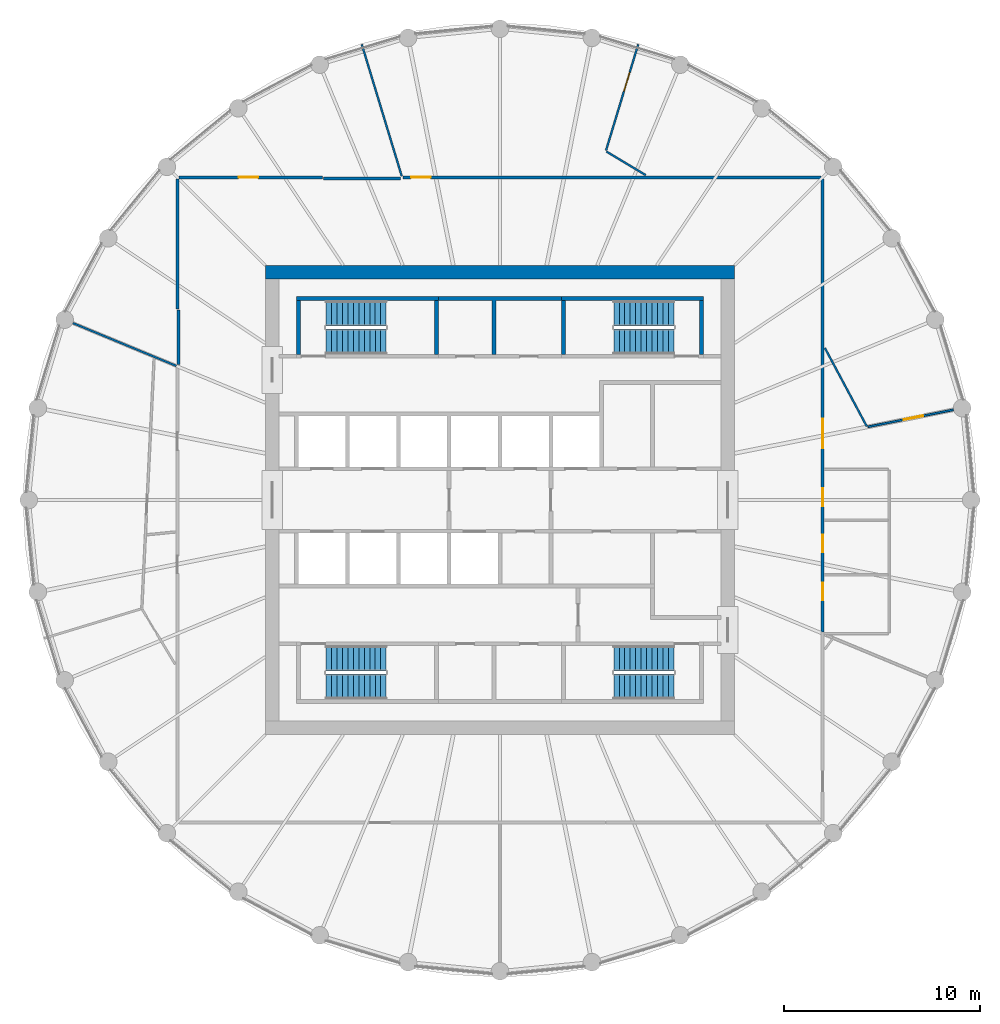
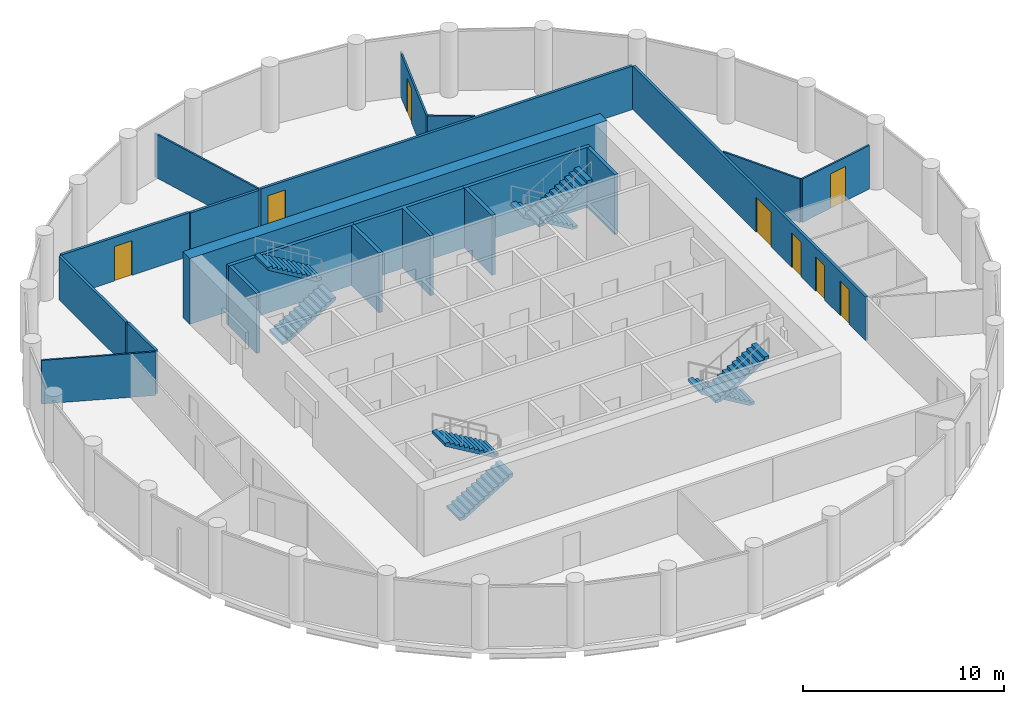
# One storey, part 6 of 7: 20 walls, 8 doors, 8 stair flights, 8 openings, 4 elements without a shape of their own.
"""IFC4 building model written with IfcOpenShell, lengths in metres."""

from ifc_helpers import new_model, si_unit, direction, frame, frame_2d, origin, place, context, subcontext, project, spatial, polyline, rectangle, outline, extrude, material, layer, layer_set, type_object, element, fill, aggregate, save


model = new_model("IFC4")

# Units and contexts
model_context = context("Model", 3, precision=1e-05, world=origin(), true_north=direction((0.0, 1.0)))
body_context = subcontext(model_context, "Body", "Model", "MODEL_VIEW")
ifc_project = project(units=[si_unit("LENGTHUNIT", "METRE"), si_unit("AREAUNIT", "SQUARE_METRE"), si_unit("VOLUMEUNIT", "CUBIC_METRE"), si_unit("PLANEANGLEUNIT", "RADIAN"), si_unit("MASSUNIT", "GRAM", prefix="KILO")], contexts=[model_context])

# Site, building, storey
site_placement = place(None, origin())
site = spatial("IfcSite", under=ifc_project, at=site_placement, CompositionType="ELEMENT")
building_placement = place(site_placement, origin())
building = spatial("IfcBuilding", under=site, at=building_placement, Name="Corvane Civic Tower", CompositionType="ELEMENT")
storey_placement = place(building_placement, frame((0.0, 0.0, 315.0)))
storey = spatial("IfcBuildingStorey", under=building, at=storey_placement, Name="L75", CompositionType="ELEMENT", Elevation=315.0)

# Walls
ifc_material_1 = material(Name="Concrete C40/50", Category="concrete")
ifc_layer_1 = layer(ifc_material_1, 0.699951171875)
ifc_layer_set_1 = layer_set([ifc_layer_1], Name="Concrete C40/50")
wall_type_1 = type_object("IfcWallType", Name="CORE WALL 700 C40/50", PredefinedType="SHEAR", material=ifc_layer_set_1)
wall_1_placement = place(storey_placement, frame((-12.0, 11.64990234375, 0.0), z_axis=(0.0, 0.0, 1.0), x_axis=(1.0, 0.0, 0.0)))
element("IfcWall", 1, at=wall_1_placement, inside=storey, type_object=wall_type_1, Name="W-L75-core-N", PredefinedType="SHEAR", context=body_context, shape_type="SweptSolid", body=[
    extrude(rectangle(XDim=24.0, YDim=0.699951171875, at=frame_2d((12.0, 0.0))), origin(), (0.0, 0.0, 1.0), 4.0),
])
ifc_material_2 = material(Name="Concrete C30/37", Category="concrete")
ifc_layer_2 = layer(ifc_material_2, 0.199951171875)
ifc_layer_set_2 = layer_set([ifc_layer_2], Name="Concrete C30/37")
wall_type_2 = type_object("IfcWallType", Name="CR-WALL-200", PredefinedType="PARTITIONING", material=ifc_layer_set_2)
wall_2_placement = place(storey_placement, origin())
element("IfcWall", 2, at=wall_2_placement, inside=storey, type_object=wall_type_2, Name="L75 core partition wall", PredefinedType="PARTITIONING", context=body_context, shape_type="SweptSolid", body=[
    extrude(outline(polyline([(3.14990234375, 10.39990234375), (3.14990234375, 10.199951171875), (-0.199951171875, 10.199951171875), (-0.199951171875, 7.449951171875), (-0.39990234375, 7.449951171875), (-0.39990234375, 10.199951171875), (-3.14990234375, 10.199951171875), (-3.14990234375, 10.39990234375), (3.14990234375, 10.39990234375)])), origin(), (0.0, 0.0, 1.0), 3.64990234375),
])

# Wall, opening, door
ifc_material_3 = material(Name="Plasterboard")
ifc_layer_3 = layer(ifc_material_3, 0.10009765625)
ifc_layer_set_3 = layer_set([ifc_layer_3], Name="Plasterboard")
wall_type_3 = type_object("IfcWallType", Name="Partition 100 plasterboard on studs", PredefinedType="PARTITIONING", material=ifc_layer_set_3)
wall_3_placement = place(storey_placement, frame((18.8125, 3.741943359375, 0.0), z_axis=(0.0, 0.0, 1.0), x_axis=(0.980786508615, 0.195084147278, 0.0)))
wall_3 = element("IfcWall", 3, at=wall_3_placement, inside=storey, type_object=wall_type_3, Name="Partition L75.019", PredefinedType="PARTITIONING", context=body_context, shape_type="SweptSolid", body=[
    extrude(rectangle(XDim=4.458984375, YDim=0.10009765625, at=frame_2d((2.2294921875, 0.0))), origin(), (0.0, 0.0, 1.0), 2.64990234375),
])
opening_1_placement = place(wall_3_placement, frame((1.8740234375, 0.0, 0.0)))
opening_1 = element("IfcOpeningElement", 4, at=opening_1_placement, cuts=wall_3, Name="Opening L75.011", PredefinedType="OPENING", context=body_context, shape_type="SweptSolid", body=[
    extrude(rectangle(XDim=1.0, YDim=2.10009765625, at=frame_2d((0.5, 1.050048828125))), frame((0.0, 0.06005859375, 0.0), z_axis=(0.0, -1.0, 0.0), x_axis=(1.0, 0.0, 0.0)), (0.0, 0.0, 1.0), 0.1201171875),
])
ifc_material_4 = material(Name="Timber", Category="wood")
door_type_1 = type_object("IfcDoorType", Name="Single door 1000", OperationType="NOTDEFINED", PredefinedType="DOOR", material=ifc_material_4)
door_1_placement = place(opening_1_placement, origin())
door_1 = element("IfcDoor", 5, at=door_1_placement, inside=storey, type_object=door_type_1, Name="Door L75.011", OperationType="SINGLE_SWING_RIGHT", OverallHeight=2.10009765625, OverallWidth=1.0, PredefinedType="DOOR", context=body_context, shape_type="SweptSolid", body=[
    extrude(rectangle(XDim=1.0, YDim=2.10009765625, at=frame_2d((0.5, 1.050048828125))), frame((0.0, 0.02490234375, 0.0), z_axis=(0.0, -1.0, 0.0), x_axis=(1.0, 0.0, 0.0)), (0.0, 0.0, 1.0), 0.050048828125),
])
fill(opening_1, door_1)

# Walls
wall_4_placement = place(storey_placement, frame((16.619140625, 7.7705078125, 0.0), z_axis=(0.0, 0.0, 1.0), x_axis=(0.471403238748, -0.881917788968, 0.0)))
element("IfcWall", 6, at=wall_4_placement, inside=storey, type_object=wall_type_3, Name="Partition L75.020", PredefinedType="PARTITIONING", context=body_context, shape_type="SweptSolid", body=[
    extrude(rectangle(XDim=4.538818359375, YDim=0.10009765625, at=frame_2d((2.26953125, 0.0))), origin(), (0.0, 0.0, 1.0), 2.64990234375),
])
wall_5_placement = place(storey_placement, frame((-21.84033203125, 9.046630859375, 0.0), z_axis=(0.0, 0.0, 1.0), x_axis=(0.923868475838, -0.382710124445, 0.0)))
element("IfcWall", 7, at=wall_5_placement, inside=storey, type_object=wall_type_3, Name="Partition L75.021", PredefinedType="PARTITIONING", context=body_context, shape_type="SweptSolid", body=[
    extrude(rectangle(XDim=5.716552734375, YDim=0.10009765625, at=frame_2d((2.8583984375, 0.0))), origin(), (0.0, 0.0, 1.0), 2.64990234375),
])
wall_6_placement = place(storey_placement, frame((-7.068603515625, 23.3017578125, 0.0), z_axis=(0.0, 0.0, 1.0), x_axis=(0.290279752693, -0.956941829568, 0.0)))
element("IfcWall", 8, at=wall_6_placement, inside=storey, type_object=wall_type_3, Name="Partition L75.027", PredefinedType="PARTITIONING", context=body_context, shape_type="SweptSolid", body=[
    extrude(rectangle(XDim=7.04052734375, YDim=0.10009765625, at=frame_2d((3.520263671875, 0.0))), origin(), (0.0, 0.0, 1.0), 2.64990234375),
])
wall_7_placement = place(storey_placement, frame((5.4453125, 17.820556640625, 0.0), z_axis=(0.0, 0.0, 1.0), x_axis=(0.857741449861, -0.514081321574, 0.0)))
element("IfcWall", 9, at=wall_7_placement, inside=storey, type_object=wall_type_3, Name="Partition L75.028", PredefinedType="PARTITIONING", context=body_context, shape_type="SweptSolid", body=[
    extrude(rectangle(XDim=2.33935546875, YDim=0.10009765625, at=frame_2d((1.169677734375, 0.0))), origin(), (0.0, 0.0, 1.0), 2.64990234375),
])

# Wall, opening, door
wall_8_placement = place(storey_placement, frame((5.423095703125, 17.8779296875, 0.0), z_axis=(0.0, 0.0, 1.0), x_axis=(0.290318207756, 0.956930163724, 0.0)))
wall_8 = element("IfcWall", 10, at=wall_8_placement, inside=storey, type_object=wall_type_3, Name="Partition L75.029", PredefinedType="PARTITIONING", context=body_context, shape_type="SweptSolid", body=[
    extrude(rectangle(XDim=5.66796875, YDim=0.10009765625, at=frame_2d((2.833984375, 0.0))), origin(), (0.0, 0.0, 1.0), 2.64990234375),
])
opening_2_placement = place(wall_8_placement, frame((3.16748046875, 0.0, 0.0)))
opening_2 = element("IfcOpeningElement", 11, at=opening_2_placement, cuts=wall_8, Name="Opening L75.010", PredefinedType="OPENING", context=body_context, shape_type="SweptSolid", body=[
    extrude(rectangle(XDim=1.0, YDim=2.10009765625, at=frame_2d((0.5, 1.050048828125))), frame((0.0, 0.06005859375, 0.0), z_axis=(0.0, -1.0, 0.0), x_axis=(1.0, 0.0, 0.0)), (0.0, 0.0, 1.0), 0.1201171875),
])
door_2_placement = place(opening_2_placement, frame((1.0, 0.0, 0.0), z_axis=(0.0, 0.0, 1.0), x_axis=(-1.0, 0.0, 0.0)))
door_2 = element("IfcDoor", 12, at=door_2_placement, inside=storey, type_object=door_type_1, Name="Door L75.010", OperationType="SINGLE_SWING_LEFT", OverallHeight=2.10009765625, OverallWidth=1.0, PredefinedType="DOOR", context=body_context, shape_type="SweptSolid", body=[
    extrude(rectangle(XDim=1.0, YDim=2.10009765625, at=frame_2d((0.5, 1.050048828125))), frame((0.0, 0.02490234375, 0.0), z_axis=(0.0, -1.0, 0.0), x_axis=(1.0, 0.0, 0.0)), (0.0, 0.0, 1.0), 0.050048828125),
])
fill(opening_2, door_2)

# Walls
ifc_material_5 = material(Name="Concrete C50/60", Category="concrete")
ifc_layer_4 = layer(ifc_material_5, 0.199951171875)
ifc_layer_set_4 = layer_set([ifc_layer_4], Name="Concrete C50/60")
wall_type_4 = type_object("IfcWallType", Name="ST-WALL-200", PredefinedType="SHEAR", material=ifc_layer_set_4)
wall_9_placement = place(storey_placement, origin())
element("IfcWall", 13, at=wall_9_placement, inside=storey, type_object=wall_type_4, Name="L75 stair enclosure wall", PredefinedType="SHEAR", context=body_context, shape_type="SweptSolid", body=[
    extrude(outline(polyline([(-3.14990234375, 10.199951171875), (-10.39990234375, 10.199951171875), (-10.39990234375, 10.39990234375), (-3.14990234375, 10.39990234375), (-3.14990234375, 10.199951171875)])), origin(), (0.0, 0.0, 1.0), 3.64990234375),
])
wall_10_placement = place(storey_placement, origin())
element("IfcWall", 14, at=wall_10_placement, inside=storey, type_object=wall_type_4, Name="L75 stair enclosure wall", PredefinedType="SHEAR", context=body_context, shape_type="SweptSolid", body=[
    extrude(outline(polyline([(10.39990234375, 10.199951171875), (3.14990234375, 10.199951171875), (3.14990234375, 10.39990234375), (10.39990234375, 10.39990234375), (10.39990234375, 10.199951171875)])), origin(), (0.0, 0.0, 1.0), 3.64990234375),
])
wall_11_placement = place(storey_placement, origin())
element("IfcWall", 15, at=wall_11_placement, inside=storey, type_object=wall_type_4, Name="L75 stair enclosure wall", PredefinedType="SHEAR", context=body_context, shape_type="SweptSolid", body=[
    extrude(outline(polyline([(-3.14990234375, 7.449951171875), (-3.35009765625, 7.449951171875), (-3.35009765625, 10.199951171875), (-3.14990234375, 10.199951171875), (-3.14990234375, 7.449951171875)])), origin(), (0.0, 0.0, 1.0), 3.64990234375),
])
wall_12_placement = place(storey_placement, origin())
element("IfcWall", 16, at=wall_12_placement, inside=storey, type_object=wall_type_4, Name="L75 stair enclosure wall", PredefinedType="SHEAR", context=body_context, shape_type="SweptSolid", body=[
    extrude(outline(polyline([(3.35009765625, 7.449951171875), (3.14990234375, 7.449951171875), (3.14990234375, 10.199951171875), (3.35009765625, 10.199951171875), (3.35009765625, 7.449951171875)])), origin(), (0.0, 0.0, 1.0), 3.64990234375),
])
wall_13_placement = place(storey_placement, origin())
element("IfcWall", 17, at=wall_13_placement, inside=storey, type_object=wall_type_4, Name="L75 stair enclosure wall", PredefinedType="SHEAR", context=body_context, shape_type="SweptSolid", body=[
    extrude(outline(polyline([(-10.199951171875, 7.449951171875), (-10.39990234375, 7.449951171875), (-10.39990234375, 10.199951171875), (-10.199951171875, 10.199951171875), (-10.199951171875, 7.449951171875)])), origin(), (0.0, 0.0, 1.0), 3.64990234375),
])
wall_14_placement = place(storey_placement, origin())
element("IfcWall", 18, at=wall_14_placement, inside=storey, type_object=wall_type_4, Name="L75 stair enclosure wall", PredefinedType="SHEAR", context=body_context, shape_type="SweptSolid", body=[
    extrude(outline(polyline([(10.39990234375, 7.449951171875), (10.199951171875, 7.449951171875), (10.199951171875, 10.199951171875), (10.39990234375, 10.199951171875), (10.39990234375, 7.449951171875)])), origin(), (0.0, 0.0, 1.0), 3.64990234375),
])

# Wall, openings, doors
ifc_material_6 = material(Name="Plasterboard")
ifc_layer_5 = layer(ifc_material_6, 0.14990234375)
ifc_layer_set_5 = layer_set([ifc_layer_5], Name="Plasterboard")
wall_type_5 = type_object("IfcWallType", Name="Tenancy wall 150 EI 60", PredefinedType="PARTITIONING", material=ifc_layer_set_5)
wall_15_placement = place(storey_placement, frame((16.5, -6.759521484375, 0.0), z_axis=(0.0, 0.0, 1.0), x_axis=(0.0, 1.0, 0.0)))
wall_15 = element("IfcWall", 19, at=wall_15_placement, inside=storey, type_object=wall_type_5, Name="Partition L75.013", PredefinedType="PARTITIONING", context=body_context, shape_type="SweptSolid", body=[
    extrude(rectangle(XDim=23.1845703125, YDim=0.14990234375, at=frame_2d((11.59228515625, 0.0))), origin(), (0.0, 0.0, 1.0), 2.64990234375),
])
opening_3_placement = place(wall_15_placement, frame((9.404541015625, 0.0, 0.0)))
opening_3 = element("IfcOpeningElement", 20, at=opening_3_placement, cuts=wall_15, Name="Opening L75.012", PredefinedType="OPENING", context=body_context, shape_type="SweptSolid", body=[
    extrude(rectangle(XDim=1.5, YDim=2.10009765625, at=frame_2d((0.75, 1.050048828125))), frame((0.0, 0.0849609375, 0.0), z_axis=(0.0, -1.0, 0.0), x_axis=(1.0, 0.0, 0.0)), (0.0, 0.0, 1.0), 0.169921875),
])
opening_4_placement = place(wall_15_placement, frame((1.630126953125, 0.0, 0.0)))
opening_4 = element("IfcOpeningElement", 21, at=opening_4_placement, cuts=wall_15, Name="Opening L75.013", PredefinedType="OPENING", context=body_context, shape_type="SweptSolid", body=[
    extrude(rectangle(XDim=0.89990234375, YDim=2.10009765625, at=frame_2d((0.449951171875, 1.050048828125))), frame((0.0, 0.0849609375, 0.0), z_axis=(0.0, -1.0, 0.0), x_axis=(1.0, 0.0, 0.0)), (0.0, 0.0, 1.0), 0.169921875),
])
opening_5_placement = place(wall_15_placement, frame((4.086181640625, 0.0, 0.0)))
opening_5 = element("IfcOpeningElement", 22, at=opening_5_placement, cuts=wall_15, Name="Opening L75.014", PredefinedType="OPENING", context=body_context, shape_type="SweptSolid", body=[
    extrude(rectangle(XDim=0.89990234375, YDim=2.10009765625, at=frame_2d((0.449951171875, 1.050048828125))), frame((0.0, 0.0849609375, 0.0), z_axis=(0.0, -1.0, 0.0), x_axis=(1.0, 0.0, 0.0)), (0.0, 0.0, 1.0), 0.169921875),
])
opening_6_placement = place(wall_15_placement, frame((6.45068359375, 0.0, 0.0)))
opening_6 = element("IfcOpeningElement", 23, at=opening_6_placement, cuts=wall_15, Name="Opening L75.015", PredefinedType="OPENING", context=body_context, shape_type="SweptSolid", body=[
    extrude(rectangle(XDim=0.89990234375, YDim=2.10009765625, at=frame_2d((0.449951171875, 1.050048828125))), frame((0.0, 0.0849609375, 0.0), z_axis=(0.0, -1.0, 0.0), x_axis=(1.0, 0.0, 0.0)), (0.0, 0.0, 1.0), 0.169921875),
])
ifc_material_7 = material(Name="Steel and timber", Category="steel")
door_type_2 = type_object("IfcDoorType", Name="Fire door FD30S 900", OperationType="NOTDEFINED", PredefinedType="DOOR", material=ifc_material_7)
door_3_placement = place(opening_4_placement, frame((0.89990234375, 0.0, 0.0), z_axis=(0.0, 0.0, 1.0), x_axis=(-1.0, 0.0, 0.0)))
door_3 = element("IfcDoor", 24, at=door_3_placement, inside=storey, type_object=door_type_2, Name="Door L75.013", OperationType="SINGLE_SWING_LEFT", OverallHeight=2.10009765625, OverallWidth=0.89990234375, PredefinedType="DOOR", context=body_context, shape_type="SweptSolid", body=[
    extrude(rectangle(XDim=0.89990234375, YDim=2.10009765625, at=frame_2d((0.449951171875, 1.050048828125))), frame((0.0, 0.02490234375, 0.0), z_axis=(0.0, -1.0, 0.0), x_axis=(1.0, 0.0, 0.0)), (0.0, 0.0, 1.0), 0.050048828125),
])
fill(opening_4, door_3)
door_4_placement = place(opening_5_placement, frame((0.89990234375, 0.0, 0.0), z_axis=(0.0, 0.0, 1.0), x_axis=(-1.0, 0.0, 0.0)))
door_4 = element("IfcDoor", 25, at=door_4_placement, inside=storey, type_object=door_type_2, Name="Door L75.014", OperationType="SINGLE_SWING_RIGHT", OverallHeight=2.10009765625, OverallWidth=0.89990234375, PredefinedType="DOOR", context=body_context, shape_type="SweptSolid", body=[
    extrude(rectangle(XDim=0.89990234375, YDim=2.10009765625, at=frame_2d((0.449951171875, 1.050048828125))), frame((0.0, 0.02490234375, 0.0), z_axis=(0.0, -1.0, 0.0), x_axis=(1.0, 0.0, 0.0)), (0.0, 0.0, 1.0), 0.050048828125),
])
fill(opening_5, door_4)
door_5_placement = place(opening_6_placement, frame((0.89990234375, 0.0, 0.0), z_axis=(0.0, 0.0, 1.0), x_axis=(-1.0, 0.0, 0.0)))
door_5 = element("IfcDoor", 26, at=door_5_placement, inside=storey, type_object=door_type_2, Name="Door L75.015", OperationType="SINGLE_SWING_LEFT", OverallHeight=2.10009765625, OverallWidth=0.89990234375, PredefinedType="DOOR", context=body_context, shape_type="SweptSolid", body=[
    extrude(rectangle(XDim=0.89990234375, YDim=2.10009765625, at=frame_2d((0.449951171875, 1.050048828125))), frame((0.0, 0.02490234375, 0.0), z_axis=(0.0, -1.0, 0.0), x_axis=(1.0, 0.0, 0.0)), (0.0, 0.0, 1.0), 0.050048828125),
])
fill(opening_6, door_5)
ifc_material_8 = material(Name="Steel and timber", Category="steel")
door_type_3 = type_object("IfcDoorType", Name="Fire door FD60 double 1500", OperationType="NOTDEFINED", PredefinedType="DOOR", material=ifc_material_8)
door_6_placement = place(opening_3_placement, frame((1.5, 0.0, 0.0), z_axis=(0.0, 0.0, 1.0), x_axis=(-1.0, 0.0, 0.0)))
door_6 = element("IfcDoor", 27, at=door_6_placement, inside=storey, type_object=door_type_3, Name="Door L75.012", OperationType="DOUBLE_DOOR_SINGLE_SWING", OverallHeight=2.10009765625, OverallWidth=1.5, PredefinedType="DOOR", context=body_context, shape_type="SweptSolid", body=[
    extrude(rectangle(XDim=1.5, YDim=2.10009765625, at=frame_2d((0.75, 1.050048828125))), frame((0.0, 0.02490234375, 0.0), z_axis=(0.0, -1.0, 0.0), x_axis=(1.0, 0.0, 0.0)), (0.0, 0.0, 1.0), 0.050048828125),
])
fill(opening_3, door_6)

# Walls
wall_16_placement = place(storey_placement, frame((-16.449951171875, 6.926025390625, 0.0), z_axis=(0.0, 0.0, 1.0), x_axis=(0.0, 1.0, 0.0)))
element("IfcWall", 28, at=wall_16_placement, inside=storey, type_object=wall_type_5, Name="Partition L75.022", PredefinedType="PARTITIONING", context=body_context, shape_type="SweptSolid", body=[
    extrude(rectangle(XDim=2.792236328125, YDim=0.14990234375, at=frame_2d((1.39599609375, 0.0))), origin(), (0.0, 0.0, 1.0), 2.64990234375),
])
wall_17_placement = place(storey_placement, frame((-16.5, 9.768310546875, 0.0), z_axis=(0.0, 0.0, 1.0), x_axis=(0.0, 1.0, 0.0)))
element("IfcWall", 29, at=wall_17_placement, inside=storey, type_object=wall_type_5, Name="Partition L75.023", PredefinedType="PARTITIONING", context=body_context, shape_type="SweptSolid", body=[
    extrude(rectangle(XDim=6.65673828125, YDim=0.14990234375, at=frame_2d((3.328369140625, 0.0))), origin(), (0.0, 0.0, 1.0), 2.64990234375),
])
wall_18_placement = place(storey_placement, frame((-9.017578125, 16.449951171875, 0.0), z_axis=(0.0, 0.0, 1.0), x_axis=(1.0, 0.0, 0.0)))
element("IfcWall", 30, at=wall_18_placement, inside=storey, type_object=wall_type_5, Name="Partition L75.024", PredefinedType="PARTITIONING", context=body_context, shape_type="SweptSolid", body=[
    extrude(rectangle(XDim=3.92626953125, YDim=0.14990234375, at=frame_2d((1.963134765625, 0.0))), origin(), (0.0, 0.0, 1.0), 2.64990234375),
])

# Wall, opening, door
wall_19_placement = place(storey_placement, frame((-16.425048828125, 16.5, 0.0), z_axis=(0.0, 0.0, 1.0), x_axis=(1.0, 0.0, 0.0)))
wall_19 = element("IfcWall", 31, at=wall_19_placement, inside=storey, type_object=wall_type_5, Name="Partition L75.025", PredefinedType="PARTITIONING", context=body_context, shape_type="SweptSolid", body=[
    extrude(rectangle(XDim=7.357666015625, YDim=0.14990234375, at=frame_2d((3.6787109375, 0.0))), origin(), (0.0, 0.0, 1.0), 2.64990234375),
])
opening_7_placement = place(wall_19_placement, frame((3.057861328125, 0.0, 0.0)))
opening_7 = element("IfcOpeningElement", 32, at=opening_7_placement, cuts=wall_19, Name="Opening L75.008", PredefinedType="OPENING", context=body_context, shape_type="SweptSolid", body=[
    extrude(rectangle(XDim=1.0, YDim=2.10009765625, at=frame_2d((0.5, 1.050048828125))), frame((0.0, 0.0849609375, 0.0), z_axis=(0.0, -1.0, 0.0), x_axis=(1.0, 0.0, 0.0)), (0.0, 0.0, 1.0), 0.169921875),
])
ifc_material_9 = material(Name="Steel and timber", Category="steel")
door_type_4 = type_object("IfcDoorType", Name="Fire door FD30S 1000", OperationType="NOTDEFINED", PredefinedType="DOOR", material=ifc_material_9)
door_7_placement = place(opening_7_placement, origin())
door_7 = element("IfcDoor", 33, at=door_7_placement, inside=storey, type_object=door_type_4, Name="Door L75.008", OperationType="SINGLE_SWING_RIGHT", OverallHeight=2.10009765625, OverallWidth=1.0, PredefinedType="DOOR", context=body_context, shape_type="SweptSolid", body=[
    extrude(rectangle(XDim=1.0, YDim=2.10009765625, at=frame_2d((0.5, 1.050048828125))), frame((0.0, 0.02490234375, 0.0), z_axis=(0.0, -1.0, 0.0), x_axis=(1.0, 0.0, 0.0)), (0.0, 0.0, 1.0), 0.050048828125),
])
fill(opening_7, door_7)

wall_20_placement = place(storey_placement, frame((-4.94970703125, 16.5, 0.0), z_axis=(0.0, 0.0, 1.0), x_axis=(1.0, 0.0, 0.0)))
wall_20 = element("IfcWall", 34, at=wall_20_placement, inside=storey, type_object=wall_type_5, Name="Partition L75.026", PredefinedType="PARTITIONING", context=body_context, shape_type="SweptSolid", body=[
    extrude(rectangle(XDim=21.374755859375, YDim=0.14990234375, at=frame_2d((10.6875, 0.0))), origin(), (0.0, 0.0, 1.0), 2.64990234375),
])
opening_8_placement = place(wall_20_placement, frame((0.39990234375, 0.0, 0.0)))
opening_8 = element("IfcOpeningElement", 35, at=opening_8_placement, cuts=wall_20, Name="Opening L75.009", PredefinedType="OPENING", context=body_context, shape_type="SweptSolid", body=[
    extrude(rectangle(XDim=1.0, YDim=2.10009765625, at=frame_2d((0.5, 1.050048828125))), frame((0.0, 0.0849609375, 0.0), z_axis=(0.0, -1.0, 0.0), x_axis=(1.0, 0.0, 0.0)), (0.0, 0.0, 1.0), 0.169921875),
])
door_8_placement = place(opening_8_placement, origin())
door_8 = element("IfcDoor", 36, at=door_8_placement, inside=storey, type_object=door_type_4, Name="Door L75.009", OperationType="SINGLE_SWING_LEFT", OverallHeight=2.10009765625, OverallWidth=1.0, PredefinedType="DOOR", context=body_context, shape_type="SweptSolid", body=[
    extrude(rectangle(XDim=1.0, YDim=2.10009765625, at=frame_2d((0.5, 1.050048828125))), frame((0.0, 0.02490234375, 0.0), z_axis=(0.0, -1.0, 0.0), x_axis=(1.0, 0.0, 0.0)), (0.0, 0.0, 1.0), 0.050048828125),
])
fill(opening_8, door_8)

# Stair, stair flights
ifc_material_10 = material(Name="Concrete C40/50", Category="concrete")
stair_type = type_object("IfcStairType", Name="ST-STAIR-HALFTURN", PredefinedType="HALF_TURN_STAIR", material=ifc_material_10)
stair_1_placement = place(storey_placement, origin())
stair_1 = element("IfcStair", 37, at=stair_1_placement, inside=storey, type_object=stair_type, Name="L75 Exit stair ST1", PredefinedType="HALF_TURN_STAIR")
ifc_material_11 = material(Name="Concrete C40/50", Category="concrete")
stair_flight_type = type_object("IfcStairFlightType", Name="ST-FLIGHT-RC", PredefinedType="STRAIGHT", material=ifc_material_11)
stair_flight_1_placement = place(storey_placement, frame((8.89990234375, 9.550048828125, 0.0), z_axis=(0.0, 0.0, 1.0), x_axis=(-1.0, 0.0, 0.0)))
stair_flight_1 = element("IfcStairFlight", 38, at=stair_flight_1_placement, type_object=stair_flight_type, Name="ST1 flight 1", NumberOfRisers=12, NumberOfTreads=11, PredefinedType="STRAIGHT", RiserHeight=0.166666667, TreadLength=0.28, context=body_context, shape_type="SweptSolid", body=[
    extrude(outline(polyline([(0.0, 0.0), (0.0, 0.166748046875), (0.280029296875, 0.166748046875), (0.280029296875, 0.333251953125), (0.56005859375, 0.333251953125), (0.56005859375, 0.5), (0.840087890625, 0.5), (0.840087890625, 0.666748046875), (1.1201171875, 0.666748046875), (1.1201171875, 0.833251953125), (1.39990234375, 0.833251953125), (1.39990234375, 1.0), (1.679931640625, 1.0), (1.679931640625, 1.166748046875), (1.9599609375, 1.166748046875), (1.9599609375, 1.333251953125), (2.239990234375, 1.333251953125), (2.239990234375, 1.5), (2.52001953125, 1.5), (2.52001953125, 1.666748046875), (2.800048828125, 1.666748046875), (2.800048828125, 1.833251953125), (3.080078125, 1.833251953125), (3.080078125, 2.0), (3.080078125, 1.658935546875), (0.29296875, 0.0), (0.0, 0.0)])), frame((0.0, 0.64990234375, 0.0), z_axis=(0.0, -1.0, 0.0), x_axis=(1.0, 0.0, 0.0)), (0.0, 0.0, 1.0), 1.300048828125),
])
stair_flight_2_placement = place(storey_placement, frame((5.820068359375, 8.10009765625, 2.0), z_axis=(0.0, 0.0, 1.0), x_axis=(1.0, 0.0, 0.0)))
stair_flight_2 = element("IfcStairFlight", 39, at=stair_flight_2_placement, type_object=stair_flight_type, Name="ST1 flight 2", NumberOfRisers=12, NumberOfTreads=11, PredefinedType="STRAIGHT", RiserHeight=0.166666667, TreadLength=0.28, context=body_context, shape_type="SweptSolid", body=[
    extrude(outline(polyline([(0.0, 0.0), (0.0, 0.166748046875), (0.280029296875, 0.166748046875), (0.280029296875, 0.333251953125), (0.56005859375, 0.333251953125), (0.56005859375, 0.5), (0.840087890625, 0.5), (0.840087890625, 0.666748046875), (1.1201171875, 0.666748046875), (1.1201171875, 0.833251953125), (1.39990234375, 0.833251953125), (1.39990234375, 1.0), (1.679931640625, 1.0), (1.679931640625, 1.166748046875), (1.9599609375, 1.166748046875), (1.9599609375, 1.333251953125), (2.239990234375, 1.333251953125), (2.239990234375, 1.5), (2.52001953125, 1.5), (2.52001953125, 1.666748046875), (2.800048828125, 1.666748046875), (2.800048828125, 1.833251953125), (3.080078125, 1.833251953125), (3.080078125, 2.0), (3.080078125, 1.658935546875), (0.29296875, 0.0), (0.0, 0.0)])), frame((0.0, 0.64990234375, 0.0), z_axis=(0.0, -1.0, 0.0), x_axis=(1.0, 0.0, 0.0)), (0.0, 0.0, 1.0), 1.300048828125),
])
aggregate(stair_1, [stair_flight_1, stair_flight_2])

stair_2_placement = place(storey_placement, origin())
stair_2 = element("IfcStair", 40, at=stair_2_placement, inside=storey, type_object=stair_type, Name="L75 Exit stair ST2", PredefinedType="HALF_TURN_STAIR")
stair_flight_3_placement = place(storey_placement, frame((8.89990234375, -8.10009765625, 0.0), z_axis=(0.0, 0.0, 1.0), x_axis=(-1.0, 0.0, 0.0)))
stair_flight_3 = element("IfcStairFlight", 41, at=stair_flight_3_placement, type_object=stair_flight_type, Name="ST2 flight 1", NumberOfRisers=12, NumberOfTreads=11, PredefinedType="STRAIGHT", RiserHeight=0.166666667, TreadLength=0.28, context=body_context, shape_type="SweptSolid", body=[
    extrude(outline(polyline([(0.0, 0.0), (0.0, 0.166748046875), (0.280029296875, 0.166748046875), (0.280029296875, 0.333251953125), (0.56005859375, 0.333251953125), (0.56005859375, 0.5), (0.840087890625, 0.5), (0.840087890625, 0.666748046875), (1.1201171875, 0.666748046875), (1.1201171875, 0.833251953125), (1.39990234375, 0.833251953125), (1.39990234375, 1.0), (1.679931640625, 1.0), (1.679931640625, 1.166748046875), (1.9599609375, 1.166748046875), (1.9599609375, 1.333251953125), (2.239990234375, 1.333251953125), (2.239990234375, 1.5), (2.52001953125, 1.5), (2.52001953125, 1.666748046875), (2.800048828125, 1.666748046875), (2.800048828125, 1.833251953125), (3.080078125, 1.833251953125), (3.080078125, 2.0), (3.080078125, 1.658935546875), (0.29296875, 0.0), (0.0, 0.0)])), frame((0.0, 0.64990234375, 0.0), z_axis=(0.0, -1.0, 0.0), x_axis=(1.0, 0.0, 0.0)), (0.0, 0.0, 1.0), 1.300048828125),
])
stair_flight_4_placement = place(storey_placement, frame((5.820068359375, -9.550048828125, 2.0), z_axis=(0.0, 0.0, 1.0), x_axis=(1.0, 0.0, 0.0)))
stair_flight_4 = element("IfcStairFlight", 42, at=stair_flight_4_placement, type_object=stair_flight_type, Name="ST2 flight 2", NumberOfRisers=12, NumberOfTreads=11, PredefinedType="STRAIGHT", RiserHeight=0.166666667, TreadLength=0.28, context=body_context, shape_type="SweptSolid", body=[
    extrude(outline(polyline([(0.0, 0.0), (0.0, 0.166748046875), (0.280029296875, 0.166748046875), (0.280029296875, 0.333251953125), (0.56005859375, 0.333251953125), (0.56005859375, 0.5), (0.840087890625, 0.5), (0.840087890625, 0.666748046875), (1.1201171875, 0.666748046875), (1.1201171875, 0.833251953125), (1.39990234375, 0.833251953125), (1.39990234375, 1.0), (1.679931640625, 1.0), (1.679931640625, 1.166748046875), (1.9599609375, 1.166748046875), (1.9599609375, 1.333251953125), (2.239990234375, 1.333251953125), (2.239990234375, 1.5), (2.52001953125, 1.5), (2.52001953125, 1.666748046875), (2.800048828125, 1.666748046875), (2.800048828125, 1.833251953125), (3.080078125, 1.833251953125), (3.080078125, 2.0), (3.080078125, 1.658935546875), (0.29296875, 0.0), (0.0, 0.0)])), frame((0.0, 0.64990234375, 0.0), z_axis=(0.0, -1.0, 0.0), x_axis=(1.0, 0.0, 0.0)), (0.0, 0.0, 1.0), 1.300048828125),
])
aggregate(stair_2, [stair_flight_3, stair_flight_4])

stair_3_placement = place(storey_placement, origin())
stair_3 = element("IfcStair", 43, at=stair_3_placement, inside=storey, type_object=stair_type, Name="L75 Exit stair ST3", PredefinedType="HALF_TURN_STAIR")
stair_flight_5_placement = place(storey_placement, frame((-8.89990234375, -9.550048828125, 0.0), z_axis=(0.0, 0.0, 1.0), x_axis=(1.0, 0.0, 0.0)))
stair_flight_5 = element("IfcStairFlight", 44, at=stair_flight_5_placement, type_object=stair_flight_type, Name="ST3 flight 1", NumberOfRisers=12, NumberOfTreads=11, PredefinedType="STRAIGHT", RiserHeight=0.166666667, TreadLength=0.28, context=body_context, shape_type="SweptSolid", body=[
    extrude(outline(polyline([(0.0, 0.0), (0.0, 0.166748046875), (0.280029296875, 0.166748046875), (0.280029296875, 0.333251953125), (0.56005859375, 0.333251953125), (0.56005859375, 0.5), (0.840087890625, 0.5), (0.840087890625, 0.666748046875), (1.1201171875, 0.666748046875), (1.1201171875, 0.833251953125), (1.39990234375, 0.833251953125), (1.39990234375, 1.0), (1.679931640625, 1.0), (1.679931640625, 1.166748046875), (1.9599609375, 1.166748046875), (1.9599609375, 1.333251953125), (2.239990234375, 1.333251953125), (2.239990234375, 1.5), (2.52001953125, 1.5), (2.52001953125, 1.666748046875), (2.800048828125, 1.666748046875), (2.800048828125, 1.833251953125), (3.080078125, 1.833251953125), (3.080078125, 2.0), (3.080078125, 1.658935546875), (0.29296875, 0.0), (0.0, 0.0)])), frame((0.0, 0.64990234375, 0.0), z_axis=(0.0, -1.0, 0.0), x_axis=(1.0, 0.0, 0.0)), (0.0, 0.0, 1.0), 1.300048828125),
])
stair_flight_6_placement = place(storey_placement, frame((-5.820068359375, -8.10009765625, 2.0), z_axis=(0.0, 0.0, 1.0), x_axis=(-1.0, 0.0, 0.0)))
stair_flight_6 = element("IfcStairFlight", 45, at=stair_flight_6_placement, type_object=stair_flight_type, Name="ST3 flight 2", NumberOfRisers=12, NumberOfTreads=11, PredefinedType="STRAIGHT", RiserHeight=0.166666667, TreadLength=0.28, context=body_context, shape_type="SweptSolid", body=[
    extrude(outline(polyline([(0.0, 0.0), (0.0, 0.166748046875), (0.280029296875, 0.166748046875), (0.280029296875, 0.333251953125), (0.56005859375, 0.333251953125), (0.56005859375, 0.5), (0.840087890625, 0.5), (0.840087890625, 0.666748046875), (1.1201171875, 0.666748046875), (1.1201171875, 0.833251953125), (1.39990234375, 0.833251953125), (1.39990234375, 1.0), (1.679931640625, 1.0), (1.679931640625, 1.166748046875), (1.9599609375, 1.166748046875), (1.9599609375, 1.333251953125), (2.239990234375, 1.333251953125), (2.239990234375, 1.5), (2.52001953125, 1.5), (2.52001953125, 1.666748046875), (2.800048828125, 1.666748046875), (2.800048828125, 1.833251953125), (3.080078125, 1.833251953125), (3.080078125, 2.0), (3.080078125, 1.658935546875), (0.29296875, 0.0), (0.0, 0.0)])), frame((0.0, 0.64990234375, 0.0), z_axis=(0.0, -1.0, 0.0), x_axis=(1.0, 0.0, 0.0)), (0.0, 0.0, 1.0), 1.300048828125),
])
aggregate(stair_3, [stair_flight_5, stair_flight_6])

stair_4_placement = place(storey_placement, origin())
stair_4 = element("IfcStair", 46, at=stair_4_placement, inside=storey, type_object=stair_type, Name="L75 Exit stair ST4", PredefinedType="HALF_TURN_STAIR")
stair_flight_7_placement = place(storey_placement, frame((-8.89990234375, 8.10009765625, 0.0), z_axis=(0.0, 0.0, 1.0), x_axis=(1.0, 0.0, 0.0)))
stair_flight_7 = element("IfcStairFlight", 47, at=stair_flight_7_placement, type_object=stair_flight_type, Name="ST4 flight 1", NumberOfRisers=12, NumberOfTreads=11, PredefinedType="STRAIGHT", RiserHeight=0.166666667, TreadLength=0.28, context=body_context, shape_type="SweptSolid", body=[
    extrude(outline(polyline([(0.0, 0.0), (0.0, 0.166748046875), (0.280029296875, 0.166748046875), (0.280029296875, 0.333251953125), (0.56005859375, 0.333251953125), (0.56005859375, 0.5), (0.840087890625, 0.5), (0.840087890625, 0.666748046875), (1.1201171875, 0.666748046875), (1.1201171875, 0.833251953125), (1.39990234375, 0.833251953125), (1.39990234375, 1.0), (1.679931640625, 1.0), (1.679931640625, 1.166748046875), (1.9599609375, 1.166748046875), (1.9599609375, 1.333251953125), (2.239990234375, 1.333251953125), (2.239990234375, 1.5), (2.52001953125, 1.5), (2.52001953125, 1.666748046875), (2.800048828125, 1.666748046875), (2.800048828125, 1.833251953125), (3.080078125, 1.833251953125), (3.080078125, 2.0), (3.080078125, 1.658935546875), (0.29296875, 0.0), (0.0, 0.0)])), frame((0.0, 0.64990234375, 0.0), z_axis=(0.0, -1.0, 0.0), x_axis=(1.0, 0.0, 0.0)), (0.0, 0.0, 1.0), 1.300048828125),
])
stair_flight_8_placement = place(storey_placement, frame((-5.820068359375, 9.550048828125, 2.0), z_axis=(0.0, 0.0, 1.0), x_axis=(-1.0, 0.0, 0.0)))
stair_flight_8 = element("IfcStairFlight", 48, at=stair_flight_8_placement, type_object=stair_flight_type, Name="ST4 flight 2", NumberOfRisers=12, NumberOfTreads=11, PredefinedType="STRAIGHT", RiserHeight=0.166666667, TreadLength=0.28, context=body_context, shape_type="SweptSolid", body=[
    extrude(outline(polyline([(0.0, 0.0), (0.0, 0.166748046875), (0.280029296875, 0.166748046875), (0.280029296875, 0.333251953125), (0.56005859375, 0.333251953125), (0.56005859375, 0.5), (0.840087890625, 0.5), (0.840087890625, 0.666748046875), (1.1201171875, 0.666748046875), (1.1201171875, 0.833251953125), (1.39990234375, 0.833251953125), (1.39990234375, 1.0), (1.679931640625, 1.0), (1.679931640625, 1.166748046875), (1.9599609375, 1.166748046875), (1.9599609375, 1.333251953125), (2.239990234375, 1.333251953125), (2.239990234375, 1.5), (2.52001953125, 1.5), (2.52001953125, 1.666748046875), (2.800048828125, 1.666748046875), (2.800048828125, 1.833251953125), (3.080078125, 1.833251953125), (3.080078125, 2.0), (3.080078125, 1.658935546875), (0.29296875, 0.0), (0.0, 0.0)])), frame((0.0, 0.64990234375, 0.0), z_axis=(0.0, -1.0, 0.0), x_axis=(1.0, 0.0, 0.0)), (0.0, 0.0, 1.0), 1.300048828125),
])
aggregate(stair_4, [stair_flight_7, stair_flight_8])

save(model, "model.ifc")
